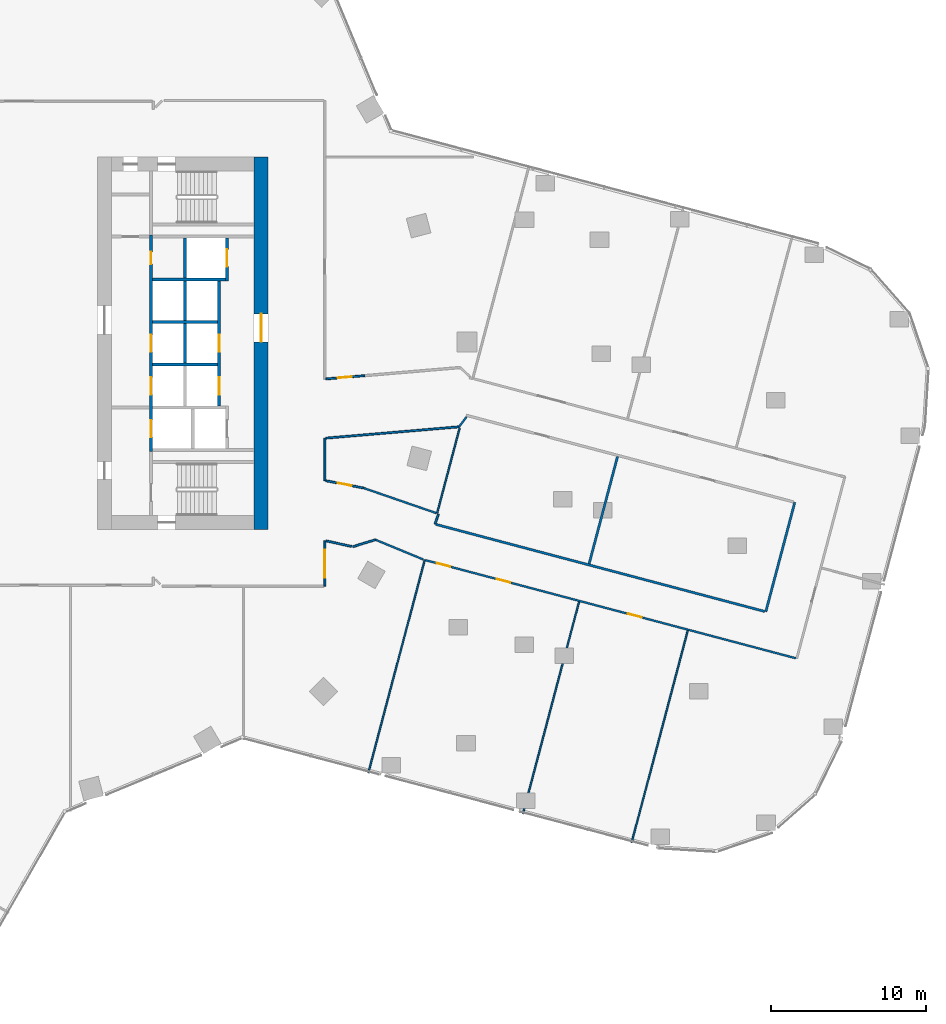
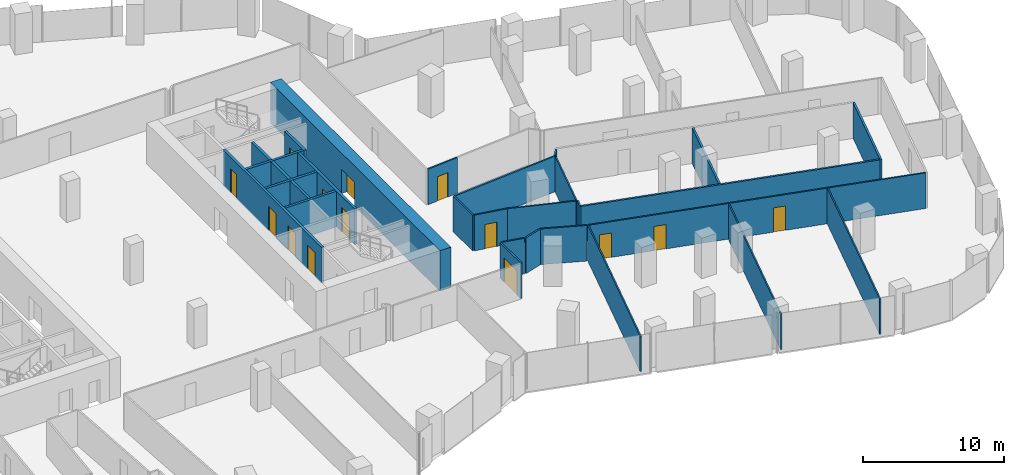
# One storey, part 29 of 35: 29 walls, 14 doors, 14 openings.
"""IFC4 building model written with IfcOpenShell, lengths in metres."""

from ifc_helpers import new_model, si_unit, direction, frame, frame_2d, origin, place, context, subcontext, project, spatial, rectangle, extrude, material, layer, layer_set, type_object, element, fill, save


model = new_model("IFC4")

# Units and contexts
model_context = context("Model", 3, precision=1e-05, world=origin(), true_north=direction((0.0, 1.0)))
body_context = subcontext(model_context, "Body", "Model", "MODEL_VIEW")
ifc_project = project(units=[si_unit("LENGTHUNIT", "METRE"), si_unit("AREAUNIT", "SQUARE_METRE"), si_unit("VOLUMEUNIT", "CUBIC_METRE"), si_unit("PLANEANGLEUNIT", "RADIAN"), si_unit("MASSUNIT", "GRAM", prefix="KILO")], contexts=[model_context])

# Site, building, storey
site_placement = place(None, origin())
site = spatial("IfcSite", under=ifc_project, at=site_placement, CompositionType="ELEMENT")
building_placement = place(site_placement, origin())
building = spatial("IfcBuilding", under=site, at=building_placement, Name="Orlundy Tower", CompositionType="ELEMENT")
storey_placement = place(building_placement, frame((0.0, 0.0, 116.199951171875)))
storey = spatial("IfcBuildingStorey", under=building, at=storey_placement, Name="L29", CompositionType="ELEMENT", Elevation=116.199951171875)

# Wall, opening, door
ifc_material_1 = material(Name="Concrete C80/95", Category="concrete")
ifc_layer_1 = layer(ifc_material_1, 0.89990234375)
ifc_layer_set_1 = layer_set([ifc_layer_1], Name="CORE WALL 900 C80/95")
wall_type_1 = type_object("IfcWallType", Name="CORE WALL 900 C80/95", PredefinedType="SHEAR", material=ifc_layer_set_1)
wall_1_placement = place(storey_placement, frame((18.550048828125, -12.0, 0.0), z_axis=(0.0, 0.0, 1.0), x_axis=(0.0, 1.0, 0.0)))
wall_1 = element("IfcWall", 1, at=wall_1_placement, inside=storey, type_object=wall_type_1, Name="Core wall E-E L29", PredefinedType="SHEAR", context=body_context, shape_type="SweptSolid", body=[
    extrude(rectangle(XDim=24.0, YDim=0.89990234375, at=frame_2d((12.0, 0.0))), origin(), (0.0, 0.0, 1.0), 3.5),
])
opening_1_placement = place(wall_1_placement, frame((12.10009765625, 0.0, 0.0)))
opening_1 = element("IfcOpeningElement", 2, at=opening_1_placement, cuts=wall_1, Name="Opening 22059", PredefinedType="OPENING", context=body_context, shape_type="SweptSolid", body=[
    extrude(rectangle(XDim=1.800048828125, YDim=2.10009765625, at=frame_2d((0.89990234375, 1.050048828125))), frame((0.0, 0.4599609375, 0.0), z_axis=(0.0, -1.0, 0.0), x_axis=(1.0, 0.0, 0.0)), (0.0, 0.0, 1.0), 0.919921875),
])
ifc_material_2 = material(Name="Timber door set", Category="wood")
door_type_1 = type_object("IfcDoorType", Name="Lobby Door 1800x2100", OperationType="DOUBLE_DOOR_DOUBLE_SWING", PredefinedType="DOOR", material=ifc_material_2)
door_1_placement = place(opening_1_placement, origin())
door_1 = element("IfcDoor", 3, at=door_1_placement, inside=storey, type_object=door_type_1, Name="Lift lobby door 22059", OperationType="SINGLE_SWING_RIGHT", OverallHeight=2.10009765625, OverallWidth=1.800048828125, PredefinedType="DOOR", context=body_context, shape_type="SweptSolid", body=[
    extrude(rectangle(XDim=1.800048828125, YDim=2.10009765625, at=frame_2d((0.89990234375, 1.050048828125))), frame((0.0, 0.02490234375, 0.0), z_axis=(0.0, -1.0, 0.0), x_axis=(1.0, 0.0, 0.0)), (0.0, 0.0, 1.0), 0.050048828125),
])
fill(opening_1, door_1)

# Walls
ifc_material_3 = material(Name="Gypsum board partition")
ifc_layer_2 = layer(ifc_material_3, 0.10009765625)
ifc_layer_set_2 = layer_set([ifc_layer_2], Name="Floor partition 100")
wall_type_2 = type_object("IfcWallType", Name="Floor partition 100", PredefinedType="PARTITIONING", material=ifc_layer_set_2)
wall_2_placement = place(storey_placement, frame((42.424072265625, -32.18310546875, 0.0), z_axis=(0.0, 0.0, 1.0), x_axis=(0.255986543434, 0.966680345089, 0.0)))
element("IfcWall", 4, at=wall_2_placement, inside=storey, type_object=wall_type_2, Name="wall-int-L29-066", PredefinedType="PARTITIONING", context=body_context, shape_type="SweptSolid", body=[
    extrude(rectangle(XDim=14.136962890625, YDim=0.10009765625, at=frame_2d((7.068359375, 0.0))), origin(), (0.0, 0.0, 1.0), 3.080078125),
])
wall_3_placement = place(storey_placement, frame((35.4169921875, -30.327880859375, 0.0), z_axis=(0.0, 0.0, 1.0), x_axis=(0.255904901066, 0.966701961108, 0.0)))
element("IfcWall", 5, at=wall_3_placement, inside=storey, type_object=wall_type_2, Name="wall-int-L29-068", PredefinedType="PARTITIONING", context=body_context, shape_type="SweptSolid", body=[
    extrude(rectangle(XDim=14.1376953125, YDim=0.10009765625, at=frame_2d((7.06884765625, 0.0))), origin(), (0.0, 0.0, 1.0), 3.080078125),
])
wall_4_placement = place(storey_placement, frame((25.452880859375, -27.68896484375, 0.0), z_axis=(0.0, 0.0, 1.0), x_axis=(0.255983290364, 0.966681206528, 0.0)))
element("IfcWall", 6, at=wall_4_placement, inside=storey, type_object=wall_type_2, Name="wall-int-L29-071", PredefinedType="PARTITIONING", context=body_context, shape_type="SweptSolid", body=[
    extrude(rectangle(XDim=14.2001953125, YDim=0.10009765625, at=frame_2d((7.10009765625, 0.0))), origin(), (0.0, 0.0, 1.0), 3.080078125),
])
wall_5_placement = place(storey_placement, frame((29.883056640625, -10.9599609375, 0.0), z_axis=(0.0, 0.0, 1.0), x_axis=(0.255996310915, 0.96667775851, 0.0)))
element("IfcWall", 7, at=wall_5_placement, inside=storey, type_object=wall_type_2, Name="wall-int-L29-072", PredefinedType="PARTITIONING", context=body_context, shape_type="SweptSolid", body=[
    extrude(rectangle(XDim=5.691650390625, YDim=0.10009765625, at=frame_2d((2.845703125, 0.0))), origin(), (0.0, 0.0, 1.0), 3.080078125),
])
ifc_material_4 = material(Name="Gypsum board partition, double layer")
ifc_layer_3 = layer(ifc_material_4, 0.125)
ifc_layer_set_3 = layer_set([ifc_layer_3], Name="Floor partition 125")
wall_type_3 = type_object("IfcWallType", Name="Floor partition 125", PredefinedType="PARTITIONING", material=ifc_layer_set_3)
wall_6_placement = place(storey_placement, frame((31.781982421875, -4.740966796875, 0.0), z_axis=(0.0, 0.0, 1.0), x_axis=(-0.601653415527, -0.798757264496, 0.0)))
element("IfcWall", 8, at=wall_6_placement, inside=storey, type_object=wall_type_3, Name="wall-int-L29-005", PredefinedType="PARTITIONING", context=body_context, shape_type="SweptSolid", body=[
    extrude(rectangle(XDim=0.802734375, YDim=0.125, at=frame_2d((0.4013671875, 0.0))), origin(), (0.0, 0.0, 1.0), 3.080078125),
])
wall_7_placement = place(storey_placement, frame((25.909912109375, -12.658935546875, 0.0), z_axis=(0.0, 0.0, 1.0), x_axis=(0.92457667325, -0.380996030532, 0.0)))
element("IfcWall", 9, at=wall_7_placement, inside=storey, type_object=wall_type_3, Name="wall-int-L29-010", PredefinedType="PARTITIONING", context=body_context, shape_type="SweptSolid", body=[
    extrude(rectangle(XDim=3.341064453125, YDim=0.125, at=frame_2d((1.67041015625, 0.0))), origin(), (0.0, 0.0, 1.0), 3.080078125),
])
wall_8_placement = place(storey_placement, frame((25.14990234375, -9.325927734375, 0.0), z_axis=(0.0, 0.0, 1.0), x_axis=(0.945231754492, -0.326399954502, 0.0)))
element("IfcWall", 10, at=wall_8_placement, inside=storey, type_object=wall_type_3, Name="wall-int-L29-024", PredefinedType="PARTITIONING", context=body_context, shape_type="SweptSolid", body=[
    extrude(rectangle(XDim=4.94482421875, YDim=0.125, at=frame_2d((2.472412109375, 0.0))), origin(), (0.0, 0.0, 1.0), 3.080078125),
])
wall_9_placement = place(storey_placement, frame((24.37109375, -13.089111328125, 0.0), z_axis=(0.0, 0.0, 1.0), x_axis=(-0.977203859463, 0.212303125393, 0.0)))
element("IfcWall", 11, at=wall_9_placement, inside=storey, type_object=wall_type_3, Name="wall-int-L29-025", PredefinedType="PARTITIONING", context=body_context, shape_type="SweptSolid", body=[
    extrude(rectangle(XDim=1.682373046875, YDim=0.125, at=frame_2d((0.84130859375, 0.0))), origin(), (0.0, 0.0, 1.0), 3.080078125),
])

# Wall, openings, doors
wall_10_placement = place(storey_placement, frame((53.007080078125, -20.298095703125, 0.0), z_axis=(0.0, 0.0, 1.0), x_axis=(-0.966663351112, 0.256050709074, 0.0)))
wall_10 = element("IfcWall", 12, at=wall_10_placement, inside=storey, type_object=wall_type_3, Name="wall-int-L29-027", PredefinedType="PARTITIONING", context=body_context, shape_type="SweptSolid", body=[
    extrude(rectangle(XDim=24.6943359375, YDim=0.125, at=frame_2d((12.34716796875, 0.0))), origin(), (0.0, 0.0, 1.0), 3.080078125),
])
opening_2_placement = place(wall_10_placement, frame((10.28759765625, 0.0, 0.0)))
opening_2 = element("IfcOpeningElement", 13, at=opening_2_placement, cuts=wall_10, Name="Opening 22102", PredefinedType="OPENING", context=body_context, shape_type="SweptSolid", body=[
    extrude(rectangle(XDim=0.89990234375, YDim=2.10009765625, at=frame_2d((0.449951171875, 1.050048828125))), frame((0.0, 0.072509765625, 0.0), z_axis=(0.0, -1.0, 0.0), x_axis=(1.0, 0.0, 0.0)), (0.0, 0.0, 1.0), 0.14501953125),
])
opening_3_placement = place(wall_10_placement, frame((23.037109375, 0.0, 0.0)))
opening_3 = element("IfcOpeningElement", 14, at=opening_3_placement, cuts=wall_10, Name="Opening 22107", PredefinedType="OPENING", context=body_context, shape_type="SweptSolid", body=[
    extrude(rectangle(XDim=0.89990234375, YDim=2.10009765625, at=frame_2d((0.449951171875, 1.050048828125))), frame((0.0, 0.072509765625, 0.0), z_axis=(0.0, -1.0, 0.0), x_axis=(1.0, 0.0, 0.0)), (0.0, 0.0, 1.0), 0.14501953125),
])
opening_4_placement = place(wall_10_placement, frame((19.037109375, 0.0, 0.0)))
opening_4 = element("IfcOpeningElement", 15, at=opening_4_placement, cuts=wall_10, Name="Opening 22108", PredefinedType="OPENING", context=body_context, shape_type="SweptSolid", body=[
    extrude(rectangle(XDim=0.89990234375, YDim=2.10009765625, at=frame_2d((0.449951171875, 1.050048828125))), frame((0.0, 0.072509765625, 0.0), z_axis=(0.0, -1.0, 0.0), x_axis=(1.0, 0.0, 0.0)), (0.0, 0.0, 1.0), 0.14501953125),
])
ifc_material_5 = material(Name="Timber door leaf", Category="wood")
door_type_2 = type_object("IfcDoorType", Name="Floor door single 900 FD30S", OperationType="NOTDEFINED", PredefinedType="DOOR", material=ifc_material_5)
door_2_placement = place(opening_2_placement, origin())
door_2 = element("IfcDoor", 16, at=door_2_placement, inside=storey, type_object=door_type_2, Name="Door 22102", OperationType="SINGLE_SWING_LEFT", OverallHeight=2.10009765625, OverallWidth=0.89990234375, PredefinedType="DOOR", context=body_context, shape_type="SweptSolid", body=[
    extrude(rectangle(XDim=0.89990234375, YDim=2.10009765625, at=frame_2d((0.449951171875, 1.050048828125))), frame((0.0, 0.02490234375, 0.0), z_axis=(0.0, -1.0, 0.0), x_axis=(1.0, 0.0, 0.0)), (0.0, 0.0, 1.0), 0.050048828125),
])
fill(opening_2, door_2)
door_3_placement = place(opening_3_placement, origin())
door_3 = element("IfcDoor", 17, at=door_3_placement, inside=storey, type_object=door_type_2, Name="Door 22107", OperationType="SINGLE_SWING_RIGHT", OverallHeight=2.10009765625, OverallWidth=0.89990234375, PredefinedType="DOOR", context=body_context, shape_type="SweptSolid", body=[
    extrude(rectangle(XDim=0.89990234375, YDim=2.10009765625, at=frame_2d((0.449951171875, 1.050048828125))), frame((0.0, 0.02490234375, 0.0), z_axis=(0.0, -1.0, 0.0), x_axis=(1.0, 0.0, 0.0)), (0.0, 0.0, 1.0), 0.050048828125),
])
fill(opening_3, door_3)
door_4_placement = place(opening_4_placement, origin())
door_4 = element("IfcDoor", 18, at=door_4_placement, inside=storey, type_object=door_type_2, Name="Door 22108", OperationType="SINGLE_SWING_RIGHT", OverallHeight=2.10009765625, OverallWidth=0.89990234375, PredefinedType="DOOR", context=body_context, shape_type="SweptSolid", body=[
    extrude(rectangle(XDim=0.89990234375, YDim=2.10009765625, at=frame_2d((0.449951171875, 1.050048828125))), frame((0.0, 0.02490234375, 0.0), z_axis=(0.0, -1.0, 0.0), x_axis=(1.0, 0.0, 0.0)), (0.0, 0.0, 1.0), 0.050048828125),
])
fill(opening_4, door_4)

# Wall, opening, door
wall_11_placement = place(storey_placement, frame((22.72509765625, -8.85888671875, 0.0), z_axis=(0.0, 0.0, 1.0), x_axis=(0.981951400617, -0.189133410127, 0.0)))
wall_11 = element("IfcWall", 19, at=wall_11_placement, inside=storey, type_object=wall_type_3, Name="wall-int-L29-033", PredefinedType="PARTITIONING", context=body_context, shape_type="SweptSolid", body=[
    extrude(rectangle(XDim=2.469482421875, YDim=0.125, at=frame_2d((1.23486328125, 0.0))), origin(), (0.0, 0.0, 1.0), 3.080078125),
])
opening_5_placement = place(wall_11_placement, frame((0.7744140625, 0.0, 0.0)))
opening_5 = element("IfcOpeningElement", 20, at=opening_5_placement, cuts=wall_11, Name="Opening 22128", PredefinedType="OPENING", context=body_context, shape_type="SweptSolid", body=[
    extrude(rectangle(XDim=0.89990234375, YDim=2.10009765625, at=frame_2d((0.449951171875, 1.050048828125))), frame((0.0, 0.072509765625, 0.0), z_axis=(0.0, -1.0, 0.0), x_axis=(1.0, 0.0, 0.0)), (0.0, 0.0, 1.0), 0.14501953125),
])
door_5_placement = place(opening_5_placement, origin())
door_5 = element("IfcDoor", 21, at=door_5_placement, inside=storey, type_object=door_type_2, Name="Door 22128", OperationType="SINGLE_SWING_LEFT", OverallHeight=2.10009765625, OverallWidth=0.89990234375, PredefinedType="DOOR", context=body_context, shape_type="SweptSolid", body=[
    extrude(rectangle(XDim=0.89990234375, YDim=2.10009765625, at=frame_2d((0.449951171875, 1.050048828125))), frame((0.0, 0.02490234375, 0.0), z_axis=(0.0, -1.0, 0.0), x_axis=(1.0, 0.0, 0.0)), (0.0, 0.0, 1.0), 0.050048828125),
])
fill(opening_5, door_5)

# Wall
wall_12_placement = place(storey_placement, frame((22.712890625, -6.111083984375, 0.0), z_axis=(0.0, 0.0, 1.0), x_axis=(0.996414999207, 0.084599937093, 0.0)))
element("IfcWall", 22, at=wall_12_placement, inside=storey, type_object=wall_type_3, Name="wall-int-L29-049", PredefinedType="PARTITIONING", context=body_context, shape_type="SweptSolid", body=[
    extrude(rectangle(XDim=8.6171875, YDim=0.125, at=frame_2d((4.30859375, 0.0))), origin(), (0.0, 0.0, 1.0), 3.080078125),
])

# Wall, opening, door
wall_13_placement = place(storey_placement, frame((22.712890625, -2.2958984375, 0.0), z_axis=(0.0, 0.0, 1.0), x_axis=(0.996422359033, 0.084513208547, 0.0)))
wall_13 = element("IfcWall", 23, at=wall_13_placement, inside=storey, type_object=wall_type_3, Name="wall-int-L29-050", PredefinedType="PARTITIONING", context=body_context, shape_type="SweptSolid", body=[
    extrude(rectangle(XDim=2.51904296875, YDim=0.125, at=frame_2d((1.259521484375, 0.0))), origin(), (0.0, 0.0, 1.0), 3.080078125),
])
opening_6_placement = place(wall_13_placement, frame((0.78759765625, 0.0, 0.0)))
opening_6 = element("IfcOpeningElement", 24, at=opening_6_placement, cuts=wall_13, Name="Opening 22130", PredefinedType="OPENING", context=body_context, shape_type="SweptSolid", body=[
    extrude(rectangle(XDim=0.89990234375, YDim=2.10009765625, at=frame_2d((0.449951171875, 1.050048828125))), frame((0.0, 0.072509765625, 0.0), z_axis=(0.0, -1.0, 0.0), x_axis=(1.0, 0.0, 0.0)), (0.0, 0.0, 1.0), 0.14501953125),
])
door_6_placement = place(opening_6_placement, origin())
door_6 = element("IfcDoor", 25, at=door_6_placement, inside=storey, type_object=door_type_2, Name="Door 22130", OperationType="SINGLE_SWING_LEFT", OverallHeight=2.10009765625, OverallWidth=0.89990234375, PredefinedType="DOOR", context=body_context, shape_type="SweptSolid", body=[
    extrude(rectangle(XDim=0.89990234375, YDim=2.10009765625, at=frame_2d((0.449951171875, 1.050048828125))), frame((0.0, 0.02490234375, 0.0), z_axis=(0.0, -1.0, 0.0), x_axis=(1.0, 0.0, 0.0)), (0.0, 0.0, 1.0), 0.050048828125),
])
fill(opening_6, door_6)

# Walls
wall_14_placement = place(storey_placement, frame((24.455078125, -13.10693359375, 0.0), z_axis=(0.0, 0.0, 1.0), x_axis=(0.955713098299, 0.294299972374, 0.0)))
element("IfcWall", 26, at=wall_14_placement, inside=storey, type_object=wall_type_3, Name="wall-int-L29-054", PredefinedType="PARTITIONING", context=body_context, shape_type="SweptSolid", body=[
    extrude(rectangle(XDim=1.522216796875, YDim=0.125, at=frame_2d((0.76123046875, 0.0))), origin(), (0.0, 0.0, 1.0), 3.080078125),
])
wall_15_placement = place(storey_placement, frame((29.74609375, -11.653076171875, 0.0), z_axis=(0.0, 0.0, 1.0), x_axis=(0.326055233701, 0.945350720408, 0.0)))
element("IfcWall", 27, at=wall_15_placement, inside=storey, type_object=wall_type_3, Name="wall-int-L29-063", PredefinedType="PARTITIONING", context=body_context, shape_type="SweptSolid", body=[
    extrude(rectangle(XDim=0.699462890625, YDim=0.125, at=frame_2d((0.349609375, 0.0))), origin(), (0.0, 0.0, 1.0), 3.080078125),
])

# Wall, opening, door
wall_16_placement = place(storey_placement, frame((22.65087890625, -12.716064453125, 0.0), z_axis=(0.0, 0.0, 1.0), x_axis=(0.0, -1.0, 0.0)))
wall_16 = element("IfcWall", 28, at=wall_16_placement, inside=storey, type_object=wall_type_3, Name="wall-int-L29-077", PredefinedType="PARTITIONING", context=body_context, shape_type="SweptSolid", body=[
    extrude(rectangle(XDim=2.933837890625, YDim=0.125, at=frame_2d((1.466796875, 0.0))), origin(), (0.0, 0.0, 1.0), 3.080078125),
])
opening_7_placement = place(wall_16_placement, frame((0.60009765625, 0.0, 0.0)))
opening_7 = element("IfcOpeningElement", 29, at=opening_7_placement, cuts=wall_16, Name="Opening 22127", PredefinedType="OPENING", context=body_context, shape_type="SweptSolid", body=[
    extrude(rectangle(XDim=1.800048828125, YDim=2.10009765625, at=frame_2d((0.89990234375, 1.050048828125))), frame((0.0, 0.072509765625, 0.0), z_axis=(0.0, -1.0, 0.0), x_axis=(1.0, 0.0, 0.0)), (0.0, 0.0, 1.0), 0.14501953125),
])
ifc_material_6 = material(Name="Timber door leaf", Category="wood")
door_type_3 = type_object("IfcDoorType", Name="Floor door double 1800 FD30S", OperationType="NOTDEFINED", PredefinedType="DOOR", material=ifc_material_6)
door_7_placement = place(opening_7_placement, origin())
door_7 = element("IfcDoor", 30, at=door_7_placement, inside=storey, type_object=door_type_3, Name="Door 22127", OperationType="DOUBLE_DOOR_SINGLE_SWING", OverallHeight=2.10009765625, OverallWidth=1.800048828125, PredefinedType="DOOR", context=body_context, shape_type="SweptSolid", body=[
    extrude(rectangle(XDim=1.800048828125, YDim=2.10009765625, at=frame_2d((0.89990234375, 1.050048828125))), frame((0.0, 0.02490234375, 0.0), z_axis=(0.0, -1.0, 0.0), x_axis=(1.0, 0.0, 0.0)), (0.0, 0.0, 1.0), 0.050048828125),
])
fill(opening_7, door_7)

# Walls
wall_17_placement = place(storey_placement, frame((22.65087890625, -8.844970703125, 0.0), z_axis=(0.0, 0.0, 1.0), x_axis=(0.0, 1.0, 0.0)))
element("IfcWall", 31, at=wall_17_placement, inside=storey, type_object=wall_type_3, Name="wall-int-L29-078", PredefinedType="PARTITIONING", context=body_context, shape_type="SweptSolid", body=[
    extrude(rectangle(XDim=2.72900390625, YDim=0.125, at=frame_2d((1.364501953125, 0.0))), origin(), (0.0, 0.0, 1.0), 3.080078125),
])
ifc_material_7 = material(Name="Blockwork shaft wall", Category="masonry")
ifc_layer_4 = layer(ifc_material_7, 0.14990234375)
ifc_layer_set_4 = layer_set([ifc_layer_4], Name="Floor shaft wall 150")
wall_type_4 = type_object("IfcWallType", Name="Floor shaft wall 150", PredefinedType="PARTITIONING", material=ifc_layer_set_4)
wall_18_placement = place(storey_placement, frame((29.805908203125, -11.6689453125, 0.0), z_axis=(0.0, 0.0, 1.0), x_axis=(0.966684240893, -0.255971831282, 0.0)))
element("IfcWall", 32, at=wall_18_placement, inside=storey, type_object=wall_type_4, Name="wall-int-L29-028", PredefinedType="PARTITIONING", context=body_context, shape_type="SweptSolid", body=[
    extrude(rectangle(XDim=21.924560546875, YDim=0.14990234375, at=frame_2d((10.96240234375, 0.0))), origin(), (0.0, 0.0, 1.0), 3.080078125),
])
wall_19_placement = place(storey_placement, frame((51.072021484375, -17.301025390625, 0.0), z_axis=(0.0, 0.0, 1.0), x_axis=(0.256040569916, 0.966666036725, 0.0)))
element("IfcWall", 33, at=wall_19_placement, inside=storey, type_object=wall_type_4, Name="wall-int-L29-065", PredefinedType="PARTITIONING", context=body_context, shape_type="SweptSolid", body=[
    extrude(rectangle(XDim=7.29931640625, YDim=0.14990234375, at=frame_2d((3.649658203125, 0.0))), origin(), (0.0, 0.0, 1.0), 3.080078125),
])
wall_20_placement = place(storey_placement, frame((39.68505859375, -14.2080078125, 0.0), z_axis=(0.0, 0.0, 1.0), x_axis=(0.256072738338, 0.966657515711, 0.0)))
element("IfcWall", 34, at=wall_20_placement, inside=storey, type_object=wall_type_4, Name="wall-int-L29-069", PredefinedType="PARTITIONING", context=body_context, shape_type="SweptSolid", body=[
    extrude(rectangle(XDim=7.150634765625, YDim=0.14990234375, at=frame_2d((3.5751953125, 0.0))), origin(), (0.0, 0.0, 1.0), 3.080078125),
])
ifc_material_8 = material(Name="Fire-rated blockwork shaft wall", Category="masonry")
ifc_layer_5 = layer(ifc_material_8, 0.199951171875)
ifc_layer_set_5 = layer_set([ifc_layer_5], Name="Shaft Wall 200")
wall_type_5 = type_object("IfcWallType", Name="Shaft Wall 200", PredefinedType="SOLIDWALL", material=ifc_layer_set_5)
wall_21_placement = place(storey_placement, frame((11.5400390625, 4.125, 0.0), z_axis=(0.0, 0.0, 1.0), x_axis=(1.0, 0.0, 0.0)))
element("IfcWall", 35, at=wall_21_placement, inside=storey, type_object=wall_type_5, Name="Shaft wall E22-cross-4.125", PredefinedType="SOLIDWALL", context=body_context, shape_type="SweptSolid", body=[
    extrude(rectangle(XDim=4.699951171875, YDim=0.199951171875, at=frame_2d((2.35009765625, 0.0))), origin(), (0.0, 0.0, 1.0), 3.090087890625),
])
for number, where, z_axis, x_axis, name in (
    (36, (11.5400390625, 1.375, 0.0), (0.0, 0.0, 1.0), (1.0, 0.0, 0.0), "Shaft wall E22-cross-1.375"),
    (37, (11.5400390625, -1.375, 0.0), (0.0, 0.0, 1.0), (1.0, 0.0, 0.0), "Shaft wall E22-cross+1.375"),
):
    element("IfcWall", number, at=place(storey_placement, frame(where, z_axis=z_axis, x_axis=x_axis)), inside=storey, type_object=wall_type_5, Name=name, PredefinedType="SOLIDWALL", context=body_context, shape_type="SweptSolid", body=[
        extrude(rectangle(XDim=4.199951171875, YDim=0.199951171875, at=frame_2d((2.10009765625, 0.0))), origin(), (0.0, 0.0, 1.0), 3.090087890625),
    ])

# Wall, openings, doors
wall_22_placement = place(storey_placement, frame((11.43994140625, 6.97509765625, 0.0), z_axis=(0.0, 0.0, 1.0), x_axis=(0.0, -1.0, 0.0)))
wall_22 = element("IfcWall", 38, at=wall_22_placement, inside=storey, type_object=wall_type_5, Name="Shaft wall E22-front-h", PredefinedType="SOLIDWALL", context=body_context, shape_type="SweptSolid", body=[
    extrude(rectangle(XDim=13.9501953125, YDim=0.199951171875, at=frame_2d((6.97509765625, 0.0))), origin(), (0.0, 0.0, 1.0), 3.090087890625),
])
opening_8_placement = place(wall_22_placement, frame((6.425048828125, 0.0, 0.0)))
opening_8 = element("IfcOpeningElement", 39, at=opening_8_placement, cuts=wall_22, Name="Opening 22051", PredefinedType="OPENING", context=body_context, shape_type="SweptSolid", body=[
    extrude(rectangle(XDim=1.10009765625, YDim=2.10009765625, at=frame_2d((0.550048828125, 1.050048828125))), frame((0.0, 0.110107421875, 0.0), z_axis=(0.0, -1.0, 0.0), x_axis=(1.0, 0.0, 0.0)), (0.0, 0.0, 1.0), 0.22021484375),
])
opening_9_placement = place(wall_22_placement, frame((9.175048828125, 0.0, 0.0)))
opening_9 = element("IfcOpeningElement", 40, at=opening_9_placement, cuts=wall_22, Name="Opening 22053", PredefinedType="OPENING", context=body_context, shape_type="SweptSolid", body=[
    extrude(rectangle(XDim=1.10009765625, YDim=2.10009765625, at=frame_2d((0.550048828125, 1.050048828125))), frame((0.0, 0.110107421875, 0.0), z_axis=(0.0, -1.0, 0.0), x_axis=(1.0, 0.0, 0.0)), (0.0, 0.0, 1.0), 0.22021484375),
])
opening_10_placement = place(wall_22_placement, frame((11.925048828125, 0.0, 0.0)))
opening_10 = element("IfcOpeningElement", 41, at=opening_10_placement, cuts=wall_22, Name="Opening 22055", PredefinedType="OPENING", context=body_context, shape_type="SweptSolid", body=[
    extrude(rectangle(XDim=1.10009765625, YDim=2.10009765625, at=frame_2d((0.550048828125, 1.050048828125))), frame((0.0, 0.110107421875, 0.0), z_axis=(0.0, -1.0, 0.0), x_axis=(1.0, 0.0, 0.0)), (0.0, 0.0, 1.0), 0.22021484375),
])
opening_11_placement = place(wall_22_placement, frame((1.074951171875, 0.0, 0.0)))
opening_11 = element("IfcOpeningElement", 42, at=opening_11_placement, cuts=wall_22, Name="Opening 22057", PredefinedType="OPENING", context=body_context, shape_type="SweptSolid", body=[
    extrude(rectangle(XDim=0.800048828125, YDim=2.10009765625, at=frame_2d((0.39990234375, 1.050048828125))), frame((0.0, 0.110107421875, 0.0), z_axis=(0.0, -1.0, 0.0), x_axis=(1.0, 0.0, 0.0)), (0.0, 0.0, 1.0), 0.22021484375),
])
ifc_material_9 = material(Name="Steel door set", Category="steel")
door_type_4 = type_object("IfcDoorType", Name="Landing Door 1100x2100", OperationType="DOUBLE_DOOR_SLIDING", PredefinedType="DOOR", material=ifc_material_9)
door_8_placement = place(opening_8_placement, origin())
door_8 = element("IfcDoor", 43, at=door_8_placement, inside=storey, type_object=door_type_4, Name="Lift landing door LP-10 22051", OperationType="DOUBLE_DOOR_SLIDING", OverallHeight=2.10009765625, OverallWidth=1.10009765625, PredefinedType="DOOR", context=body_context, shape_type="SweptSolid", body=[
    extrude(rectangle(XDim=1.10009765625, YDim=2.10009765625, at=frame_2d((0.550048828125, 1.050048828125))), frame((0.0, 0.02490234375, 0.0), z_axis=(0.0, -1.0, 0.0), x_axis=(1.0, 0.0, 0.0)), (0.0, 0.0, 1.0), 0.050048828125),
])
fill(opening_8, door_8)
door_9_placement = place(opening_9_placement, origin())
door_9 = element("IfcDoor", 44, at=door_9_placement, inside=storey, type_object=door_type_4, Name="Lift landing door LP-07 22053", OperationType="DOUBLE_DOOR_SLIDING", OverallHeight=2.10009765625, OverallWidth=1.10009765625, PredefinedType="DOOR", context=body_context, shape_type="SweptSolid", body=[
    extrude(rectangle(XDim=1.10009765625, YDim=2.10009765625, at=frame_2d((0.550048828125, 1.050048828125))), frame((0.0, 0.02490234375, 0.0), z_axis=(0.0, -1.0, 0.0), x_axis=(1.0, 0.0, 0.0)), (0.0, 0.0, 1.0), 0.050048828125),
])
fill(opening_9, door_9)
door_10_placement = place(opening_10_placement, origin())
door_10 = element("IfcDoor", 45, at=door_10_placement, inside=storey, type_object=door_type_4, Name="Lift landing door FL2 22055", OperationType="DOUBLE_DOOR_SLIDING", OverallHeight=2.10009765625, OverallWidth=1.10009765625, PredefinedType="DOOR", context=body_context, shape_type="SweptSolid", body=[
    extrude(rectangle(XDim=1.10009765625, YDim=2.10009765625, at=frame_2d((0.550048828125, 1.050048828125))), frame((0.0, 0.02490234375, 0.0), z_axis=(0.0, -1.0, 0.0), x_axis=(1.0, 0.0, 0.0)), (0.0, 0.0, 1.0), 0.050048828125),
])
fill(opening_10, door_10)
ifc_material_10 = material(Name="Timber door set", Category="wood")
door_type_5 = type_object("IfcDoorType", Name="Riser Door 800x2100", OperationType="SINGLE_SWING_LEFT", PredefinedType="DOOR", material=ifc_material_10)
door_11_placement = place(opening_11_placement, origin())
door_11 = element("IfcDoor", 46, at=door_11_placement, inside=storey, type_object=door_type_5, Name="Pantry Store door 22057", OperationType="SINGLE_SWING_LEFT", OverallHeight=2.10009765625, OverallWidth=0.800048828125, PredefinedType="DOOR", context=body_context, shape_type="SweptSolid", body=[
    extrude(rectangle(XDim=0.800048828125, YDim=2.10009765625, at=frame_2d((0.39990234375, 1.050048828125))), frame((0.0, 0.02490234375, 0.0), z_axis=(0.0, -1.0, 0.0), x_axis=(1.0, 0.0, 0.0)), (0.0, 0.0, 1.0), 0.050048828125),
])
fill(opening_11, door_11)

# Walls
for number, where, z_axis, x_axis, name in (
    (47, (13.639892578125, 6.77490234375, 0.0), (0.0, 0.0, 1.0), (0.0, -1.0, 0.0), "Shaft wall E22-mid-a"),
    (48, (13.639892578125, 4.02490234375, 0.0), (0.0, 0.0, 1.0), (0.0, -1.0, 0.0), "Shaft wall E22-mid-a.1"),
    (49, (13.639892578125, 1.27490234375, 0.0), (0.0, 0.0, 1.0), (0.0, -1.0, 0.0), "Shaft wall E22-mid-a.2"),
):
    element("IfcWall", number, at=place(storey_placement, frame(where, z_axis=z_axis, x_axis=x_axis)), inside=storey, type_object=wall_type_5, Name=name, PredefinedType="SOLIDWALL", context=body_context, shape_type="SweptSolid", body=[
        extrude(rectangle(XDim=2.5498046875, YDim=0.199951171875, at=frame_2d((1.27490234375, 0.0))), origin(), (0.0, 0.0, 1.0), 3.090087890625),
    ])

# Wall, opening, door
wall_23_placement = place(storey_placement, frame((16.340087890625, 6.77490234375, 0.0), z_axis=(0.0, 0.0, 1.0), x_axis=(0.0, -1.0, 0.0)))
wall_23 = element("IfcWall", 50, at=wall_23_placement, inside=storey, type_object=wall_type_5, Name="Shaft wall E22-front-o-a", PredefinedType="SOLIDWALL", context=body_context, shape_type="SweptSolid", body=[
    extrude(rectangle(XDim=2.75, YDim=0.199951171875, at=frame_2d((1.375, 0.0))), origin(), (0.0, 0.0, 1.0), 3.090087890625),
])
opening_12_placement = place(wall_23_placement, frame((0.72509765625, 0.0, 0.0)))
opening_12 = element("IfcOpeningElement", 51, at=opening_12_placement, cuts=wall_23, Name="Opening 22050", PredefinedType="OPENING", context=body_context, shape_type="SweptSolid", body=[
    extrude(rectangle(XDim=1.10009765625, YDim=2.10009765625, at=frame_2d((0.550048828125, 1.050048828125))), frame((0.0, 0.110107421875, 0.0), z_axis=(0.0, -1.0, 0.0), x_axis=(1.0, 0.0, 0.0)), (0.0, 0.0, 1.0), 0.22021484375),
])
door_12_placement = place(opening_12_placement, origin())
door_12 = element("IfcDoor", 52, at=door_12_placement, inside=storey, type_object=door_type_4, Name="Lift landing door LV-02 22050", OperationType="DOUBLE_DOOR_SLIDING", OverallHeight=2.10009765625, OverallWidth=1.10009765625, PredefinedType="DOOR", context=body_context, shape_type="SweptSolid", body=[
    extrude(rectangle(XDim=1.10009765625, YDim=2.10009765625, at=frame_2d((0.550048828125, 1.050048828125))), frame((0.0, 0.02490234375, 0.0), z_axis=(0.0, -1.0, 0.0), x_axis=(1.0, 0.0, 0.0)), (0.0, 0.0, 1.0), 0.050048828125),
])
fill(opening_12, door_12)

# Wall, openings, doors
wall_24_placement = place(storey_placement, frame((15.840087890625, 4.02490234375, 0.0), z_axis=(0.0, 0.0, 1.0), x_axis=(0.0, -1.0, 0.0)))
wall_24 = element("IfcWall", 53, at=wall_24_placement, inside=storey, type_object=wall_type_5, Name="Shaft wall E22-front-o-b", PredefinedType="SOLIDWALL", context=body_context, shape_type="SweptSolid", body=[
    extrude(rectangle(XDim=8.0498046875, YDim=0.199951171875, at=frame_2d((4.02490234375, 0.0))), origin(), (0.0, 0.0, 1.0), 3.090087890625),
])
opening_13_placement = place(wall_24_placement, frame((3.47509765625, 0.0, 0.0)))
opening_13 = element("IfcOpeningElement", 54, at=opening_13_placement, cuts=wall_24, Name="Opening 22052", PredefinedType="OPENING", context=body_context, shape_type="SweptSolid", body=[
    extrude(rectangle(XDim=1.10009765625, YDim=2.10009765625, at=frame_2d((0.550048828125, 1.050048828125))), frame((0.0, 0.110107421875, 0.0), z_axis=(0.0, -1.0, 0.0), x_axis=(1.0, 0.0, 0.0)), (0.0, 0.0, 1.0), 0.22021484375),
])
opening_14_placement = place(wall_24_placement, frame((6.22509765625, 0.0, 0.0)))
opening_14 = element("IfcOpeningElement", 55, at=opening_14_placement, cuts=wall_24, Name="Opening 22054", PredefinedType="OPENING", context=body_context, shape_type="SweptSolid", body=[
    extrude(rectangle(XDim=1.10009765625, YDim=2.10009765625, at=frame_2d((0.550048828125, 1.050048828125))), frame((0.0, 0.110107421875, 0.0), z_axis=(0.0, -1.0, 0.0), x_axis=(1.0, 0.0, 0.0)), (0.0, 0.0, 1.0), 0.22021484375),
])
door_13_placement = place(opening_13_placement, origin())
door_13 = element("IfcDoor", 56, at=door_13_placement, inside=storey, type_object=door_type_4, Name="Lift landing door LP-06 22052", OperationType="DOUBLE_DOOR_SLIDING", OverallHeight=2.10009765625, OverallWidth=1.10009765625, PredefinedType="DOOR", context=body_context, shape_type="SweptSolid", body=[
    extrude(rectangle(XDim=1.10009765625, YDim=2.10009765625, at=frame_2d((0.550048828125, 1.050048828125))), frame((0.0, 0.02490234375, 0.0), z_axis=(0.0, -1.0, 0.0), x_axis=(1.0, 0.0, 0.0)), (0.0, 0.0, 1.0), 0.050048828125),
])
fill(opening_13, door_13)
door_14_placement = place(opening_14_placement, origin())
door_14 = element("IfcDoor", 57, at=door_14_placement, inside=storey, type_object=door_type_4, Name="Lift landing door LP-08 22054", OperationType="DOUBLE_DOOR_SLIDING", OverallHeight=2.10009765625, OverallWidth=1.10009765625, PredefinedType="DOOR", context=body_context, shape_type="SweptSolid", body=[
    extrude(rectangle(XDim=1.10009765625, YDim=2.10009765625, at=frame_2d((0.550048828125, 1.050048828125))), frame((0.0, 0.02490234375, 0.0), z_axis=(0.0, -1.0, 0.0), x_axis=(1.0, 0.0, 0.0)), (0.0, 0.0, 1.0), 0.050048828125),
])
fill(opening_14, door_14)

save(model, "model.ifc")
